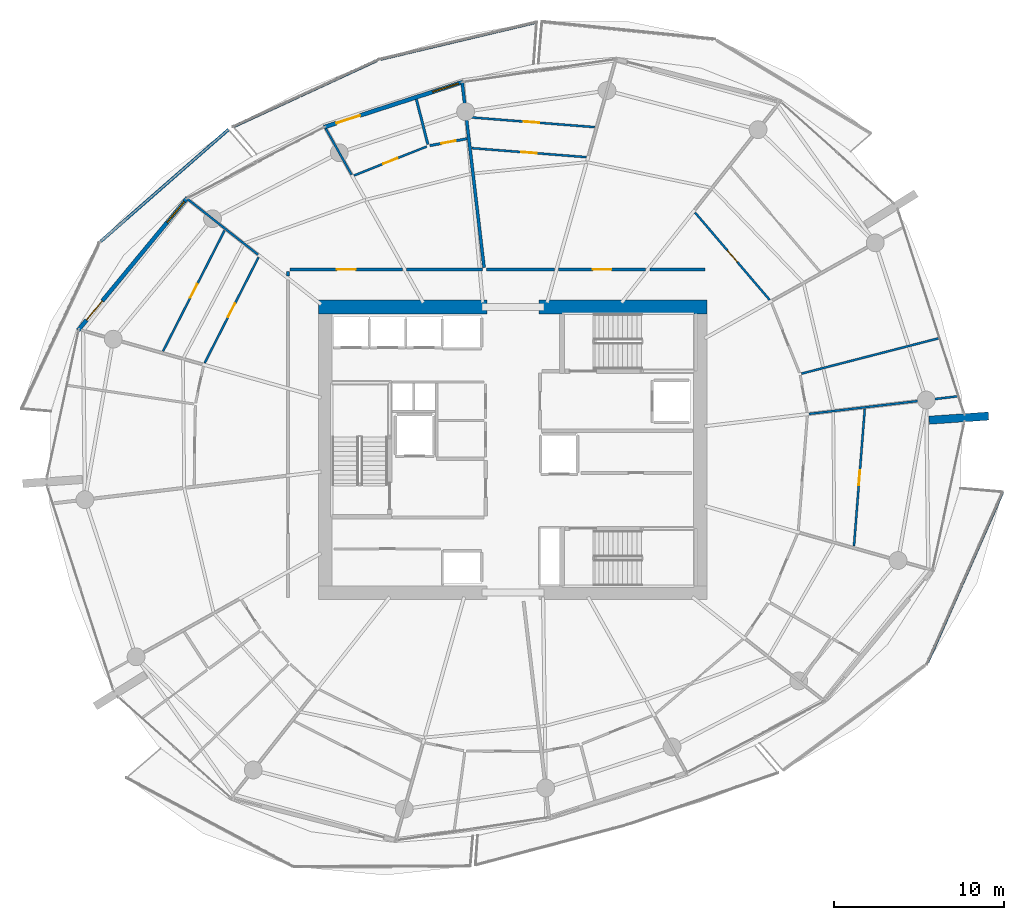
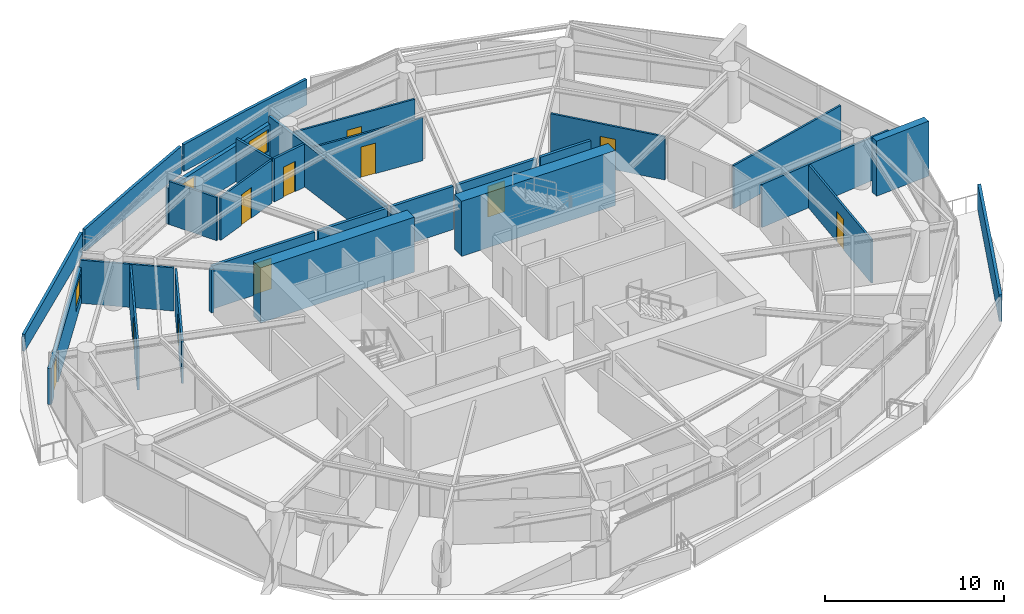
# One storey, part 14 of 20: 29 walls, 12 doors, 2 windows, 14 openings.
"""IFC4 building model written with IfcOpenShell, lengths in metres."""

from ifc_helpers import new_model, si_unit, direction, frame, frame_2d, origin, place, context, subcontext, project, spatial, polyline, rectangle, outline, extrude, material, layer, layer_set, type_object, element, fill, save


model = new_model("IFC4")

# Units and contexts
model_context = context("Model", 3, precision=1e-05, world=origin(), true_north=direction((0.0, 1.0)))
body_context = subcontext(model_context, "Body", "Model", "MODEL_VIEW")
ifc_project = project(units=[si_unit("LENGTHUNIT", "METRE"), si_unit("AREAUNIT", "SQUARE_METRE"), si_unit("VOLUMEUNIT", "CUBIC_METRE"), si_unit("PLANEANGLEUNIT", "RADIAN"), si_unit("MASSUNIT", "GRAM", prefix="KILO")], contexts=[model_context])

# Site, building, storey
site_placement = place(None, origin())
site = spatial("IfcSite", under=ifc_project, at=site_placement, CompositionType="ELEMENT")
building_placement = place(site_placement, origin())
building = spatial("IfcBuilding", under=site, at=building_placement, Name="Kazma Halo Residences", CompositionType="ELEMENT")
storey_placement = place(building_placement, frame((0.0, 0.0, 154.050048828125)))
storey = spatial("IfcBuildingStorey", under=building, at=storey_placement, Name="L38", CompositionType="ELEMENT", Elevation=154.050048828125)

# Walls
ifc_material_1 = material(Name="White Concrete C50/60 Balustrade", Category="concrete")
ifc_layer_1 = layer(ifc_material_1, 0.179931640625)
ifc_layer_set_1 = layer_set([ifc_layer_1], Name="White Concrete C50/60 Balustrade")
wall_type_1 = type_object("IfcWallType", Name="WL-BAL-WAVE-180", PredefinedType="PARAPET", material=ifc_layer_set_1)
wall_1_placement = place(storey_placement, frame((49.824951171875, 67.150634765625, 0.0), z_axis=(0.0, 0.0, 1.0), x_axis=(-0.972947039014, -0.231028265098, 0.0)))
element("IfcWall", 1, at=wall_1_placement, inside=storey, type_object=wall_type_1, Name="L38 white wave balustrade wall NNW.1", PredefinedType="PARAPET", context=body_context, shape_type="SweptSolid", body=[
    extrude(outline(polyline([(0.0, 0.0), (9.4189453125, 0.0), (9.418701171875, 1.83203125), (4.70947265625, 1.85302734375), (0.0, 1.755859375), (0.0, 0.0)])), frame((0.0, 0.08984375, 0.0), z_axis=(0.0, -1.0, 0.0), x_axis=(1.0, 0.0, 0.0)), (0.0, 0.0, 1.0), 0.179931640625),
])
wall_2_placement = place(storey_placement, frame((40.43505859375, 64.896728515625, 0.0), z_axis=(0.0, 0.0, 1.0), x_axis=(-0.908087442579, -0.418780606799, 0.0)))
element("IfcWall", 2, at=wall_2_placement, inside=storey, type_object=wall_type_1, Name="L38 white wave balustrade wall NNW.2", PredefinedType="PARAPET", context=body_context, shape_type="SweptSolid", body=[
    extrude(outline(polyline([(0.0, 0.0), (9.3154296875, 0.0), (9.3154296875, 1.4970703125), (4.65771484375, 1.696044921875), (0.0, 1.83203125), (0.0, 0.0)])), frame((0.0, 0.08984375, 0.0), z_axis=(0.0, -1.0, 0.0), x_axis=(1.0, 0.0, 0.0)), (0.0, 0.0, 1.0), 0.179931640625),
])
wall_3_placement = place(storey_placement, frame((31.71240234375, 60.8359375, 0.0), z_axis=(0.0, 0.0, 1.0), x_axis=(-0.752617556845, -0.658457905358, 0.0)))
element("IfcWall", 3, at=wall_3_placement, inside=storey, type_object=wall_type_1, Name="L38 white wave balustrade wall NW.1", PredefinedType="PARAPET", context=body_context, shape_type="SweptSolid", body=[
    extrude(outline(polyline([(0.0, 0.0), (9.99267578125, 0.0), (9.992919921875, 1.14794921875), (4.99658203125, 1.283935546875), (0.0, 1.48291015625), (0.0, 0.0)])), frame((0.0, 0.08984375, 0.0), z_axis=(0.0, -1.0, 0.0), x_axis=(1.0, 0.0, 0.0)), (0.0, 0.0, 1.0), 0.179931640625),
])
wall_4_placement = place(storey_placement, frame((72.80322265625, 29.49658203125, 0.0), z_axis=(0.0, 0.0, 1.0), x_axis=(0.402973896797, 0.915211472011, 0.0)))
element("IfcWall", 4, at=wall_4_placement, inside=storey, type_object=wall_type_1, Name="L38 white wave balustrade wall SE.2", PredefinedType="PARAPET", context=body_context, shape_type="SweptSolid", body=[
    extrude(outline(polyline([(0.0, 0.0), (10.953125, 0.0), (10.952880859375, 1.755859375), (5.4765625, 1.85302734375), (0.0, 1.83203125), (0.0, 0.0)])), frame((0.0, 0.08984375, 0.0), z_axis=(0.0, -1.0, 0.0), x_axis=(1.0, 0.0, 0.0)), (0.0, 0.0, 1.0), 0.179931640625),
])
ifc_material_2 = material(Name="Pale Concrete C60/75", Category="concrete")
ifc_layer_2 = layer(ifc_material_2, 0.47998046875)
ifc_layer_set_2 = layer_set([ifc_layer_2], Name="Pale Concrete C60/75")
wall_type_2 = type_object("IfcWallType", Name="WL-BLADE-480", PredefinedType="SOLIDWALL", material=ifc_layer_set_2)
wall_5_placement = place(storey_placement, frame((72.89697265625, 43.740966796875, 0.0), z_axis=(0.0, 0.0, 1.0), x_axis=(0.997564163539, 0.069754853754, 0.0)))
element("IfcWall", 5, at=wall_5_placement, inside=storey, type_object=wall_type_2, Name="L38 pale concrete structural blade fin wall BW-04", PredefinedType="SOLIDWALL", context=body_context, shape_type="SweptSolid", body=[
    extrude(rectangle(XDim=3.5, YDim=0.47998046875, at=frame_2d((1.75, 0.0))), origin(), (0.0, 0.0, 1.0), 3.75),
])
ifc_material_3 = material(Name="Concrete C80/95", Category="concrete")
ifc_layer_3 = layer(ifc_material_3, 0.800048828125)
ifc_layer_set_3 = layer_set([ifc_layer_3], Name="Concrete C80/95")
wall_type_3 = type_object("IfcWallType", Name="WL-CORE-800", PredefinedType="SHEAR", material=ifc_layer_set_3)
wall_6_placement = place(storey_placement, frame((37.0, 50.39990234375, 0.0), z_axis=(0.0, 0.0, 1.0), x_axis=(1.0, 0.0, 0.0)))
element("IfcWall", 6, at=wall_6_placement, inside=storey, type_object=wall_type_3, Name="L38 central core shear wall NW", PredefinedType="SHEAR", context=body_context, shape_type="SweptSolid", body=[
    extrude(rectangle(XDim=9.89990234375, YDim=0.800048828125, at=frame_2d((4.949951171875, 0.0))), origin(), (0.0, 0.0, 1.0), 3.75),
])
wall_7_placement = place(storey_placement, frame((49.949951171875, 50.39990234375, 0.0), z_axis=(0.0, 0.0, 1.0), x_axis=(1.0, 0.0, 0.0)))
element("IfcWall", 7, at=wall_7_placement, inside=storey, type_object=wall_type_3, Name="L38 central core shear wall NE", PredefinedType="SHEAR", context=body_context, shape_type="SweptSolid", body=[
    extrude(rectangle(XDim=9.900146484375, YDim=0.800048828125, at=frame_2d((4.9501953125, 0.0))), origin(), (0.0, 0.0, 1.0), 3.75),
])
ifc_material_4 = material(Name="Acoustic Twin-Stud Gypsum")
ifc_layer_4 = layer(ifc_material_4, 0.179931640625)
ifc_layer_set_4 = layer_set([ifc_layer_4], Name="Acoustic Twin-Stud Gypsum")
wall_type_4 = type_object("IfcWallType", Name="WL-DEM-180", PredefinedType="PARTITIONING", material=ifc_layer_set_4)
wall_8_placement = place(storey_placement, frame((46.732421875, 52.709228515625, 0.0), z_axis=(0.0, 0.0, 1.0), x_axis=(-0.117537145285, 0.993068486802, 0.0)))
element("IfcWall", 8, at=wall_8_placement, inside=storey, type_object=wall_type_4, Name="L38 apartment demising radial wall 03", PredefinedType="PARTITIONING", context=body_context, shape_type="SweptSolid", body=[
    extrude(rectangle(XDim=10.95068359375, YDim=0.179931640625, at=frame_2d((5.475341796875, 0.0))), origin(), (0.0, 0.0, 1.0), 2.93994140625),
])

# Wall, opening, door
wall_9_placement = place(storey_placement, frame((41.943603515625, 52.60009765625, 0.0), z_axis=(0.0, 0.0, 1.0), x_axis=(-1.0, 0.0, 0.0)))
wall_9 = element("IfcWall", 9, at=wall_9_placement, inside=storey, type_object=wall_type_4, Name="L38 Apartment 1 entrance corridor wall", PredefinedType="PARTITIONING", context=body_context, shape_type="SweptSolid", body=[
    extrude(rectangle(XDim=6.62353515625, YDim=0.179931640625, at=frame_2d((3.311767578125, 0.0))), origin(), (0.0, 0.0, 1.0), 2.93994140625),
])
opening_1_placement = place(wall_9_placement, frame((2.76171875, 0.0, 0.0)))
opening_1 = element("IfcOpeningElement", 10, at=opening_1_placement, cuts=wall_9, Name="Opening DA-1100", PredefinedType="OPENING", context=body_context, shape_type="SweptSolid", body=[
    extrude(rectangle(XDim=1.10009765625, YDim=2.10009765625, at=frame_2d((0.550048828125, 1.050048828125))), frame((0.0, 0.099853515625, 0.0), z_axis=(0.0, -1.0, 0.0), x_axis=(1.0, 0.0, 0.0)), (0.0, 0.0, 1.0), 0.199951171875),
])
ifc_material_5 = material(Name="Acoustic Walnut Fire Leaf")
door_type_1 = type_object("IfcDoorType", Name="DR-FD60-1100", OperationType="NOTDEFINED", PredefinedType="DOOR", material=ifc_material_5)
door_1_placement = place(opening_1_placement, origin())
door_1 = element("IfcDoor", 11, at=door_1_placement, inside=storey, type_object=door_type_1, Name="L38 Apartment 1 entrance fire door", OperationType="SINGLE_SWING_RIGHT", OverallHeight=2.10009765625, OverallWidth=1.10009765625, PredefinedType="DOOR", context=body_context, shape_type="SweptSolid", body=[
    extrude(rectangle(XDim=1.10009765625, YDim=2.10009765625, at=frame_2d((0.550048828125, 1.050048828125))), frame((0.0, 0.02490234375, 0.0), z_axis=(0.0, -1.0, 0.0), x_axis=(1.0, 0.0, 0.0)), (0.0, 0.0, 1.0), 0.050048828125),
])
fill(opening_1, door_1)

# Walls
wall_10_placement = place(storey_placement, frame((35.199951171875, 52.47998046875, 0.0), z_axis=(0.0, 0.0, 1.0), x_axis=(0.0, -1.0, 0.0)))
element("IfcWall", 12, at=wall_10_placement, inside=storey, type_object=wall_type_4, Name="L38 Apartment 1 entrance corridor wall", PredefinedType="PARTITIONING", context=body_context, shape_type="SweptSolid", body=[
    extrude(rectangle(XDim=0.269287109375, YDim=0.179931640625, at=frame_2d((0.134765625, 0.0))), origin(), (0.0, 0.0, 1.0), 2.93994140625),
])
wall_11_placement = place(storey_placement, frame((46.62548828125, 52.60009765625, 0.0), z_axis=(0.0, 0.0, 1.0), x_axis=(-1.0, 0.0, 0.0)))
element("IfcWall", 13, at=wall_11_placement, inside=storey, type_object=wall_type_4, Name="L38 Apartment 1 inner wall 3", PredefinedType="PARTITIONING", context=body_context, shape_type="SweptSolid", body=[
    extrude(rectangle(XDim=4.44189453125, YDim=0.179931640625, at=frame_2d((2.220947265625, 0.0))), origin(), (0.0, 0.0, 1.0), 2.93994140625),
])

# Wall, opening, door
wall_12_placement = place(storey_placement, frame((56.236328125, 52.60009765625, 0.0), z_axis=(0.0, 0.0, 1.0), x_axis=(-1.0, 0.0, 0.0)))
wall_12 = element("IfcWall", 14, at=wall_12_placement, inside=storey, type_object=wall_type_4, Name="L38 Apartment 3 entrance corridor wall", PredefinedType="PARTITIONING", context=body_context, shape_type="SweptSolid", body=[
    extrude(rectangle(XDim=5.126708984375, YDim=0.179931640625, at=frame_2d((2.5634765625, 0.0))), origin(), (0.0, 0.0, 1.0), 2.93994140625),
])
opening_2_placement = place(wall_12_placement, frame((2.013427734375, 0.0, 0.0)))
opening_2 = element("IfcOpeningElement", 15, at=opening_2_placement, cuts=wall_12, Name="Opening DA-1100", PredefinedType="OPENING", context=body_context, shape_type="SweptSolid", body=[
    extrude(rectangle(XDim=1.10009765625, YDim=2.10009765625, at=frame_2d((0.550048828125, 1.050048828125))), frame((0.0, 0.099853515625, 0.0), z_axis=(0.0, -1.0, 0.0), x_axis=(1.0, 0.0, 0.0)), (0.0, 0.0, 1.0), 0.199951171875),
])
door_2_placement = place(opening_2_placement, origin())
door_2 = element("IfcDoor", 16, at=door_2_placement, inside=storey, type_object=door_type_1, Name="L38 Apartment 3 entrance fire door", OperationType="SINGLE_SWING_RIGHT", OverallHeight=2.10009765625, OverallWidth=1.10009765625, PredefinedType="DOOR", context=body_context, shape_type="SweptSolid", body=[
    extrude(rectangle(XDim=1.10009765625, YDim=2.10009765625, at=frame_2d((0.550048828125, 1.050048828125))), frame((0.0, 0.02490234375, 0.0), z_axis=(0.0, -1.0, 0.0), x_axis=(1.0, 0.0, 0.0)), (0.0, 0.0, 1.0), 0.050048828125),
])
fill(opening_2, door_2)

# Walls
wall_13_placement = place(storey_placement, frame((59.72998046875, 52.60009765625, 0.0), z_axis=(0.0, 0.0, 1.0), x_axis=(-1.0, 0.0, 0.0)))
element("IfcWall", 17, at=wall_13_placement, inside=storey, type_object=wall_type_4, Name="L38 Apartment 3 inner wall 0", PredefinedType="PARTITIONING", context=body_context, shape_type="SweptSolid", body=[
    extrude(rectangle(XDim=3.253662109375, YDim=0.179931640625, at=frame_2d((1.626953125, 0.0))), origin(), (0.0, 0.0, 1.0), 2.93994140625),
])
wall_14_placement = place(storey_placement, frame((50.869384765625, 52.60009765625, 0.0), z_axis=(0.0, 0.0, 1.0), x_axis=(-1.0, 0.0, 0.0)))
element("IfcWall", 18, at=wall_14_placement, inside=storey, type_object=wall_type_4, Name="L38 Apartment 3 inner wall 2", PredefinedType="PARTITIONING", context=body_context, shape_type="SweptSolid", body=[
    extrude(rectangle(XDim=4.00390625, YDim=0.179931640625, at=frame_2d((2.001953125, 0.0))), origin(), (0.0, 0.0, 1.0), 2.93994140625),
])

# Wall, openings, door, window
ifc_material_6 = material(Name="Insulated Pale-Metal Composite Wall")
ifc_layer_5 = layer(ifc_material_6, 0.239990234375)
ifc_layer_set_5 = layer_set([ifc_layer_5], Name="Insulated Pale-Metal Composite Wall")
wall_type_5 = type_object("IfcWallType", Name="WL-EXT-HOST-240", PredefinedType="SOLIDWALL", material=ifc_layer_set_5)
wall_15_placement = place(storey_placement, frame((45.489990234375, 63.624267578125, 0.0), z_axis=(0.0, 0.0, 1.0), x_axis=(-0.951046390632, -0.309048156224, 0.0)))
wall_15 = element("IfcWall", 19, at=wall_15_placement, inside=storey, type_object=wall_type_5, Name="L38 exterior terrace-access wall B04", PredefinedType="SOLIDWALL", context=body_context, shape_type="SweptSolid", body=[
    extrude(rectangle(XDim=8.590087890625, YDim=0.239990234375, at=frame_2d((4.294921875, 0.0))), origin(), (0.0, 0.0, 1.0), 2.449951171875),
])
opening_3_placement = place(wall_15_placement, frame((6.370361328125, 0.0, 0.0)))
opening_3 = element("IfcOpeningElement", 20, at=opening_3_placement, cuts=wall_15, Name="Opening DTR-1600", PredefinedType="OPENING", context=body_context, shape_type="SweptSolid", body=[
    extrude(rectangle(XDim=1.449951171875, YDim=2.14990234375, at=frame_2d((0.72509765625, 1.074951171875))), frame((0.0, 0.1298828125, 0.0), z_axis=(0.0, -1.0, 0.0), x_axis=(1.0, 0.0, 0.0)), (0.0, 0.0, 1.0), 0.260009765625),
])
opening_4_placement = place(wall_15_placement, frame((0.280029296875, 0.0, 0.64990234375)))
opening_4 = element("IfcOpeningElement", 21, at=opening_4_placement, cuts=wall_15, Name="Opening W-1800", PredefinedType="OPENING", context=body_context, shape_type="SweptSolid", body=[
    extrude(rectangle(XDim=1.60009765625, YDim=1.5, at=frame_2d((0.800048828125, 0.75))), frame((0.0, 0.1298828125, 0.0), z_axis=(0.0, -1.0, 0.0), x_axis=(1.0, 0.0, 0.0)), (0.0, 0.0, 1.0), 0.260009765625),
])
ifc_material_7 = material(Name="Aluminium AW-6063 T6 Double-Glazed Terrace Door", Category="aluminium")
door_type_2 = type_object("IfcDoorType", Name="DR-EXT-TERR-1600", OperationType="NOTDEFINED", PredefinedType="DOOR", material=ifc_material_7)
door_3_placement = place(opening_3_placement, origin())
door_3 = element("IfcDoor", 22, at=door_3_placement, inside=storey, type_object=door_type_2, Name="L38 B04 balcony terrace door", OperationType="DOUBLE_DOOR_SLIDING", OverallHeight=2.14990234375, OverallWidth=1.449951171875, PredefinedType="DOOR", context=body_context, shape_type="SweptSolid", body=[
    extrude(rectangle(XDim=1.449951171875, YDim=2.14990234375, at=frame_2d((0.72509765625, 1.074951171875))), frame((0.0, 0.02490234375, 0.0), z_axis=(0.0, -1.0, 0.0), x_axis=(1.0, 0.0, 0.0)), (0.0, 0.0, 1.0), 0.050048828125),
])
fill(opening_3, door_3)
ifc_material_8 = material(Name="Clear Triple-Silver Low-E Glass in Aluminium AW-6063 T6 Frame", Category="aluminium")
window_type = type_object("IfcWindowType", Name="WIN-RES-1800", PartitioningType="DOUBLE_PANEL_VERTICAL", PredefinedType="WINDOW", material=ifc_material_8)
window_1_placement = place(opening_4_placement, origin())
window_1 = element("IfcWindow", 23, at=window_1_placement, inside=storey, type_object=window_type, Name="L38 B04 apartment window", OverallHeight=1.5, OverallWidth=1.60009765625, PartitioningType="SINGLE_PANEL", PredefinedType="WINDOW", context=body_context, shape_type="SweptSolid", body=[
    extrude(rectangle(XDim=1.60009765625, YDim=1.5, at=frame_2d((0.800048828125, 0.75))), frame((0.0, 0.030029296875, 0.0), z_axis=(0.0, -1.0, 0.0), x_axis=(1.0, 0.0, 0.0)), (0.0, 0.0, 1.0), 0.06005859375),
])
fill(opening_4, window_1)

wall_16_placement = place(storey_placement, frame((29.29052734375, 56.81298828125, 0.0), z_axis=(0.0, 0.0, 1.0), x_axis=(-0.636771922292, -0.77105221547, 0.0)))
wall_16 = element("IfcWall", 24, at=wall_16_placement, inside=storey, type_object=wall_type_5, Name="L38 exterior terrace-access wall B06", PredefinedType="SOLIDWALL", context=body_context, shape_type="SweptSolid", body=[
    extrude(rectangle(XDim=10.08154296875, YDim=0.239990234375, at=frame_2d((5.040771484375, 0.0))), origin(), (0.0, 0.0, 1.0), 2.449951171875),
])
opening_5_placement = place(wall_16_placement, frame((7.861572265625, 0.0, 0.0)))
opening_5 = element("IfcOpeningElement", 25, at=opening_5_placement, cuts=wall_16, Name="Opening DTR-1600", PredefinedType="OPENING", context=body_context, shape_type="SweptSolid", body=[
    extrude(rectangle(XDim=1.449951171875, YDim=2.14990234375, at=frame_2d((0.72509765625, 1.074951171875))), frame((0.0, 0.1298828125, 0.0), z_axis=(0.0, -1.0, 0.0), x_axis=(1.0, 0.0, 0.0)), (0.0, 0.0, 1.0), 0.260009765625),
])
opening_6_placement = place(wall_16_placement, frame((0.280029296875, 0.0, 0.64990234375)))
opening_6 = element("IfcOpeningElement", 26, at=opening_6_placement, cuts=wall_16, Name="Opening W-1800", PredefinedType="OPENING", context=body_context, shape_type="SweptSolid", body=[
    extrude(rectangle(XDim=1.60009765625, YDim=1.5, at=frame_2d((0.800048828125, 0.75))), frame((0.0, 0.1298828125, 0.0), z_axis=(0.0, -1.0, 0.0), x_axis=(1.0, 0.0, 0.0)), (0.0, 0.0, 1.0), 0.260009765625),
])
door_4_placement = place(opening_5_placement, origin())
door_4 = element("IfcDoor", 27, at=door_4_placement, inside=storey, type_object=door_type_2, Name="L38 B06 balcony terrace door", OperationType="DOUBLE_DOOR_SLIDING", OverallHeight=2.14990234375, OverallWidth=1.449951171875, PredefinedType="DOOR", context=body_context, shape_type="SweptSolid", body=[
    extrude(rectangle(XDim=1.449951171875, YDim=2.14990234375, at=frame_2d((0.72509765625, 1.074951171875))), frame((0.0, 0.02490234375, 0.0), z_axis=(0.0, -1.0, 0.0), x_axis=(1.0, 0.0, 0.0)), (0.0, 0.0, 1.0), 0.050048828125),
])
fill(opening_5, door_4)
window_2_placement = place(opening_6_placement, origin())
window_2 = element("IfcWindow", 28, at=window_2_placement, inside=storey, type_object=window_type, Name="L38 B06 apartment window", OverallHeight=1.5, OverallWidth=1.60009765625, PartitioningType="SINGLE_PANEL", PredefinedType="WINDOW", context=body_context, shape_type="SweptSolid", body=[
    extrude(rectangle(XDim=1.60009765625, YDim=1.5, at=frame_2d((0.800048828125, 0.75))), frame((0.0, 0.030029296875, 0.0), z_axis=(0.0, -1.0, 0.0), x_axis=(1.0, 0.0, 0.0)), (0.0, 0.0, 1.0), 0.06005859375),
])
fill(opening_6, window_2)

# Wall
ifc_material_9 = material(Name="Gypsum Plasterboard Partition")
ifc_layer_6 = layer(ifc_material_9, 0.125)
ifc_layer_set_6 = layer_set([ifc_layer_6], Name="Gypsum Plasterboard Partition")
wall_type_6 = type_object("IfcWallType", Name="WL-PART-125", PredefinedType="PARTITIONING", material=ifc_layer_set_6)
wall_17_placement = place(storey_placement, frame((38.94140625, 58.17529296875, 0.0), z_axis=(0.0, 0.0, 1.0), x_axis=(-0.488620181058, 0.872496600946, 0.0)))
element("IfcWall", 29, at=wall_17_placement, inside=storey, type_object=wall_type_6, Name="L38 Apartment 1 living radial partition 3", PredefinedType="PARTITIONING", context=body_context, shape_type="SweptSolid", body=[
    extrude(rectangle(XDim=3.095458984375, YDim=0.125, at=frame_2d((1.5478515625, 0.0))), origin(), (0.0, 0.0, 1.0), 2.93994140625),
])

# Wall, opening, door
wall_18_placement = place(storey_placement, frame((43.365966796875, 59.835205078125, 0.0), z_axis=(0.0, 0.0, 1.0), x_axis=(-0.928691950022, -0.370852075584, 0.0)))
wall_18 = element("IfcWall", 30, at=wall_18_placement, inside=storey, type_object=wall_type_6, Name="L38 Apartment 1 Gourmet Kitchen hall wall", PredefinedType="PARTITIONING", context=body_context, shape_type="SweptSolid", body=[
    extrude(rectangle(XDim=4.611572265625, YDim=0.125, at=frame_2d((2.3056640625, 0.0))), origin(), (0.0, 0.0, 1.0), 2.93994140625),
])
opening_7_placement = place(wall_18_placement, frame((1.855712890625, 0.0, 0.0)))
opening_7 = element("IfcOpeningElement", 31, at=opening_7_placement, cuts=wall_18, Name="Opening DI-950", PredefinedType="OPENING", context=body_context, shape_type="SweptSolid", body=[
    extrude(rectangle(XDim=0.89990234375, YDim=2.080078125, at=frame_2d((0.449951171875, 1.0400390625))), frame((0.0, 0.072509765625, 0.0), z_axis=(0.0, -1.0, 0.0), x_axis=(1.0, 0.0, 0.0)), (0.0, 0.0, 1.0), 0.14501953125),
])
ifc_material_10 = material(Name="Timber Veneer Flush Leaf", Category="wood")
door_type_3 = type_object("IfcDoorType", Name="DR-INT-950", OperationType="NOTDEFINED", PredefinedType="DOOR", material=ifc_material_10)
door_5_placement = place(opening_7_placement, origin())
door_5 = element("IfcDoor", 32, at=door_5_placement, inside=storey, type_object=door_type_3, Name="L38 Apartment 1 Gourmet Kitchen door", OperationType="SINGLE_SWING_RIGHT", OverallHeight=2.080078125, OverallWidth=0.89990234375, PredefinedType="DOOR", context=body_context, shape_type="SweptSolid", body=[
    extrude(rectangle(XDim=0.89990234375, YDim=2.080078125, at=frame_2d((0.449951171875, 1.0400390625))), frame((0.0, 0.02490234375, 0.0), z_axis=(0.0, -1.0, 0.0), x_axis=(1.0, 0.0, 0.0)), (0.0, 0.0, 1.0), 0.050048828125),
])
fill(opening_7, door_5)

# Wall
wall_19_placement = place(storey_placement, frame((33.44091796875, 53.477294921875, 0.0), z_axis=(0.0, 0.0, 1.0), x_axis=(-0.785319981095, 0.619090080112, 0.0)))
element("IfcWall", 33, at=wall_19_placement, inside=storey, type_object=wall_type_6, Name="L38 Apartment 1 radial partition 5", PredefinedType="PARTITIONING", context=body_context, shape_type="SweptSolid", body=[
    extrude(rectangle(XDim=5.300537109375, YDim=0.125, at=frame_2d((2.650390625, 0.0))), origin(), (0.0, 0.0, 1.0), 2.93994140625),
])

# Wall, opening, door
wall_20_placement = place(storey_placement, frame((33.469482421875, 53.3173828125, 0.0), z_axis=(0.0, 0.0, 1.0), x_axis=(-0.453977694262, -0.891013048789, 0.0)))
wall_20 = element("IfcWall", 34, at=wall_20_placement, inside=storey, type_object=wall_type_6, Name="L38 Apartment 1 East Study hall wall", PredefinedType="PARTITIONING", context=body_context, shape_type="SweptSolid", body=[
    extrude(rectangle(XDim=6.974365234375, YDim=0.125, at=frame_2d((3.4873046875, 0.0))), origin(), (0.0, 0.0, 1.0), 2.93994140625),
])
opening_8_placement = place(wall_20_placement, frame((3.037353515625, 0.0, 0.0)))
opening_8 = element("IfcOpeningElement", 35, at=opening_8_placement, cuts=wall_20, Name="Opening DI-950", PredefinedType="OPENING", context=body_context, shape_type="SweptSolid", body=[
    extrude(rectangle(XDim=0.89990234375, YDim=2.080078125, at=frame_2d((0.449951171875, 1.0400390625))), frame((0.0, 0.072509765625, 0.0), z_axis=(0.0, -1.0, 0.0), x_axis=(1.0, 0.0, 0.0)), (0.0, 0.0, 1.0), 0.14501953125),
])
door_6_placement = place(opening_8_placement, origin())
door_6 = element("IfcDoor", 36, at=door_6_placement, inside=storey, type_object=door_type_3, Name="L38 Apartment 1 East Study door", OperationType="SINGLE_SWING_RIGHT", OverallHeight=2.080078125, OverallWidth=0.89990234375, PredefinedType="DOOR", context=body_context, shape_type="SweptSolid", body=[
    extrude(rectangle(XDim=0.89990234375, YDim=2.080078125, at=frame_2d((0.449951171875, 1.0400390625))), frame((0.0, 0.02490234375, 0.0), z_axis=(0.0, -1.0, 0.0), x_axis=(1.0, 0.0, 0.0)), (0.0, 0.0, 1.0), 0.050048828125),
])
fill(opening_8, door_6)

wall_21_placement = place(storey_placement, frame((31.4716796875, 54.892333984375, 0.0), z_axis=(0.0, 0.0, 1.0), x_axis=(-0.453991424948, -0.89100605277, 0.0)))
wall_21 = element("IfcWall", 37, at=wall_21_placement, inside=storey, type_object=wall_type_6, Name="L38 Apartment 1 West Master Bedroom divider wall", PredefinedType="PARTITIONING", context=body_context, shape_type="SweptSolid", body=[
    extrude(rectangle(XDim=7.967041015625, YDim=0.125, at=frame_2d((3.9833984375, 0.0))), origin(), (0.0, 0.0, 1.0), 2.93994140625),
])
opening_9_placement = place(wall_21_placement, frame((3.53369140625, 0.0, 0.0)))
opening_9 = element("IfcOpeningElement", 38, at=opening_9_placement, cuts=wall_21, Name="Opening DI-950", PredefinedType="OPENING", context=body_context, shape_type="SweptSolid", body=[
    extrude(rectangle(XDim=0.89990234375, YDim=2.080078125, at=frame_2d((0.449951171875, 1.0400390625))), frame((0.0, 0.072509765625, 0.0), z_axis=(0.0, -1.0, 0.0), x_axis=(1.0, 0.0, 0.0)), (0.0, 0.0, 1.0), 0.14501953125),
])
door_7_placement = place(opening_9_placement, origin())
door_7 = element("IfcDoor", 39, at=door_7_placement, inside=storey, type_object=door_type_3, Name="L38 Apartment 1 West Master Bedroom door", OperationType="SINGLE_SWING_LEFT", OverallHeight=2.080078125, OverallWidth=0.89990234375, PredefinedType="DOOR", context=body_context, shape_type="SweptSolid", body=[
    extrude(rectangle(XDim=0.89990234375, YDim=2.080078125, at=frame_2d((0.449951171875, 1.0400390625))), frame((0.0, 0.02490234375, 0.0), z_axis=(0.0, -1.0, 0.0), x_axis=(1.0, 0.0, 0.0)), (0.0, 0.0, 1.0), 0.050048828125),
])
fill(opening_9, door_7)

wall_22_placement = place(storey_placement, frame((68.47900390625, 36.33642578125, 0.0), z_axis=(0.0, 0.0, 1.0), x_axis=(0.078482765766, 0.996915470578, 0.0)))
wall_22 = element("IfcWall", 40, at=wall_22_placement, inside=storey, type_object=wall_type_6, Name="L38 Apartment 3 Outer Master Bedroom divider wall", PredefinedType="PARTITIONING", context=body_context, shape_type="SweptSolid", body=[
    extrude(rectangle(XDim=8.07861328125, YDim=0.125, at=frame_2d((4.039306640625, 0.0))), origin(), (0.0, 0.0, 1.0), 2.93994140625),
])
opening_10_placement = place(wall_22_placement, frame((3.58935546875, 0.0, 0.0)))
opening_10 = element("IfcOpeningElement", 41, at=opening_10_placement, cuts=wall_22, Name="Opening DI-950", PredefinedType="OPENING", context=body_context, shape_type="SweptSolid", body=[
    extrude(rectangle(XDim=0.89990234375, YDim=2.080078125, at=frame_2d((0.449951171875, 1.0400390625))), frame((0.0, 0.072509765625, 0.0), z_axis=(0.0, -1.0, 0.0), x_axis=(1.0, 0.0, 0.0)), (0.0, 0.0, 1.0), 0.14501953125),
])
door_8_placement = place(opening_10_placement, origin())
door_8 = element("IfcDoor", 42, at=door_8_placement, inside=storey, type_object=door_type_3, Name="L38 Apartment 3 Outer Master Bedroom door", OperationType="SINGLE_SWING_RIGHT", OverallHeight=2.080078125, OverallWidth=0.89990234375, PredefinedType="DOOR", context=body_context, shape_type="SweptSolid", body=[
    extrude(rectangle(XDim=0.89990234375, YDim=2.080078125, at=frame_2d((0.449951171875, 1.0400390625))), frame((0.0, 0.02490234375, 0.0), z_axis=(0.0, -1.0, 0.0), x_axis=(1.0, 0.0, 0.0)), (0.0, 0.0, 1.0), 0.050048828125),
])
fill(opening_10, door_8)

# Walls
wall_23_placement = place(storey_placement, frame((65.845458984375, 44.1123046875, 0.0), z_axis=(0.0, 0.0, 1.0), x_axis=(0.993069843717, 0.117525680174, 0.0)))
element("IfcWall", 43, at=wall_23_placement, inside=storey, type_object=wall_type_6, Name="L38 Apartment 3 radial partition 15", PredefinedType="PARTITIONING", context=body_context, shape_type="SweptSolid", body=[
    extrude(rectangle(XDim=8.816162109375, YDim=0.125, at=frame_2d((4.408203125, 0.0))), origin(), (0.0, 0.0, 1.0), 2.93994140625),
])
wall_24_placement = place(storey_placement, frame((65.392333984375, 46.480224609375, 0.0), z_axis=(0.0, 0.0, 1.0), x_axis=(0.968391846752, 0.249433821172, 0.0)))
element("IfcWall", 44, at=wall_24_placement, inside=storey, type_object=wall_type_6, Name="L38 Apartment 3 mid-bay wall 15", PredefinedType="PARTITIONING", context=body_context, shape_type="SweptSolid", body=[
    extrude(rectangle(XDim=8.36181640625, YDim=0.125, at=frame_2d((4.180908203125, 0.0))), origin(), (0.0, 0.0, 1.0), 2.93994140625),
])

# Wall, opening, door
wall_25_placement = place(storey_placement, frame((63.52001953125, 50.815185546875, 0.0), z_axis=(0.0, 0.0, 1.0), x_axis=(-0.649447526186, 0.760406411553, 0.0)))
wall_25 = element("IfcWall", 45, at=wall_25_placement, inside=storey, type_object=wall_type_6, Name="L38 Apartment 3 Sky Study hall wall", PredefinedType="PARTITIONING", context=body_context, shape_type="SweptSolid", body=[
    extrude(rectangle(XDim=6.752685546875, YDim=0.125, at=frame_2d((3.37646484375, 0.0))), origin(), (0.0, 0.0, 1.0), 2.93994140625),
])
opening_11_placement = place(wall_25_placement, frame((2.92626953125, 0.0, 0.0)))
opening_11 = element("IfcOpeningElement", 46, at=opening_11_placement, cuts=wall_25, Name="Opening DI-950", PredefinedType="OPENING", context=body_context, shape_type="SweptSolid", body=[
    extrude(rectangle(XDim=0.89990234375, YDim=2.080078125, at=frame_2d((0.449951171875, 1.0400390625))), frame((0.0, 0.072509765625, 0.0), z_axis=(0.0, -1.0, 0.0), x_axis=(1.0, 0.0, 0.0)), (0.0, 0.0, 1.0), 0.14501953125),
])
door_9_placement = place(opening_11_placement, origin())
door_9 = element("IfcDoor", 47, at=door_9_placement, inside=storey, type_object=door_type_3, Name="L38 Apartment 3 Sky Study door", OperationType="SINGLE_SWING_LEFT", OverallHeight=2.080078125, OverallWidth=0.89990234375, PredefinedType="DOOR", context=body_context, shape_type="SweptSolid", body=[
    extrude(rectangle(XDim=0.89990234375, YDim=2.080078125, at=frame_2d((0.449951171875, 1.0400390625))), frame((0.0, 0.02490234375, 0.0), z_axis=(0.0, -1.0, 0.0), x_axis=(1.0, 0.0, 0.0)), (0.0, 0.0, 1.0), 0.050048828125),
])
fill(opening_11, door_9)

wall_26_placement = place(storey_placement, frame((52.740966796875, 59.207763671875, 0.0), z_axis=(0.0, 0.0, 1.0), x_axis=(-0.996917452966, 0.078457580711, 0.0)))
wall_26 = element("IfcWall", 48, at=wall_26_placement, inside=storey, type_object=wall_type_6, Name="L38 Apartment 3 Primary Study hall wall", PredefinedType="PARTITIONING", context=body_context, shape_type="SweptSolid", body=[
    extrude(rectangle(XDim=6.75244140625, YDim=0.125, at=frame_2d((3.376220703125, 0.0))), origin(), (0.0, 0.0, 1.0), 2.93994140625),
])
opening_12_placement = place(wall_26_placement, frame((2.92626953125, 0.0, 0.0)))
opening_12 = element("IfcOpeningElement", 49, at=opening_12_placement, cuts=wall_26, Name="Opening DI-950", PredefinedType="OPENING", context=body_context, shape_type="SweptSolid", body=[
    extrude(rectangle(XDim=0.89990234375, YDim=2.080078125, at=frame_2d((0.449951171875, 1.0400390625))), frame((0.0, 0.072509765625, 0.0), z_axis=(0.0, -1.0, 0.0), x_axis=(1.0, 0.0, 0.0)), (0.0, 0.0, 1.0), 0.14501953125),
])
door_10_placement = place(opening_12_placement, origin())
door_10 = element("IfcDoor", 50, at=door_10_placement, inside=storey, type_object=door_type_3, Name="L38 Apartment 3 Primary Study door", OperationType="SINGLE_SWING_LEFT", OverallHeight=2.080078125, OverallWidth=0.89990234375, PredefinedType="DOOR", context=body_context, shape_type="SweptSolid", body=[
    extrude(rectangle(XDim=0.89990234375, YDim=2.080078125, at=frame_2d((0.449951171875, 1.0400390625))), frame((0.0, 0.02490234375, 0.0), z_axis=(0.0, -1.0, 0.0), x_axis=(1.0, 0.0, 0.0)), (0.0, 0.0, 1.0), 0.050048828125),
])
fill(opening_12, door_10)

wall_27_placement = place(storey_placement, frame((53.238525390625, 60.971923828125, 0.0), z_axis=(0.0, 0.0, 1.0), x_axis=(-0.996916953075, 0.078463932292, 0.0)))
wall_27 = element("IfcWall", 51, at=wall_27_placement, inside=storey, type_object=wall_type_6, Name="L38 Apartment 3 Secondary Bedroom divider wall", PredefinedType="PARTITIONING", context=body_context, shape_type="SweptSolid", body=[
    extrude(rectangle(XDim=7.467529296875, YDim=0.125, at=frame_2d((3.73388671875, 0.0))), origin(), (0.0, 0.0, 1.0), 2.93994140625),
])
opening_13_placement = place(wall_27_placement, frame((3.28369140625, 0.0, 0.0)))
opening_13 = element("IfcOpeningElement", 52, at=opening_13_placement, cuts=wall_27, Name="Opening DI-950", PredefinedType="OPENING", context=body_context, shape_type="SweptSolid", body=[
    extrude(rectangle(XDim=0.89990234375, YDim=2.080078125, at=frame_2d((0.449951171875, 1.0400390625))), frame((0.0, 0.072509765625, 0.0), z_axis=(0.0, -1.0, 0.0), x_axis=(1.0, 0.0, 0.0)), (0.0, 0.0, 1.0), 0.14501953125),
])
door_11_placement = place(opening_13_placement, origin())
door_11 = element("IfcDoor", 53, at=door_11_placement, inside=storey, type_object=door_type_3, Name="L38 Apartment 3 Secondary Bedroom door", OperationType="SINGLE_SWING_RIGHT", OverallHeight=2.080078125, OverallWidth=0.89990234375, PredefinedType="DOOR", context=body_context, shape_type="SweptSolid", body=[
    extrude(rectangle(XDim=0.89990234375, YDim=2.080078125, at=frame_2d((0.449951171875, 1.0400390625))), frame((0.0, 0.02490234375, 0.0), z_axis=(0.0, -1.0, 0.0), x_axis=(1.0, 0.0, 0.0)), (0.0, 0.0, 1.0), 0.050048828125),
])
fill(opening_13, door_11)

ifc_material_11 = material(Name="Moisture-Resistant Gypsum")
ifc_layer_7 = layer(ifc_material_11, 0.14990234375)
ifc_layer_set_7 = layer_set([ifc_layer_7], Name="Moisture-Resistant Gypsum")
wall_type_7 = type_object("IfcWallType", Name="WL-WET-150", PredefinedType="PARTITIONING", material=ifc_layer_set_7)
wall_28_placement = place(storey_placement, frame((45.734375, 60.29296875, 0.0), z_axis=(0.0, 0.0, 1.0), x_axis=(-0.983182569162, -0.182625397184, 0.0)))
wall_28 = element("IfcWall", 54, at=wall_28_placement, inside=storey, type_object=wall_type_7, Name="L38 Apartment 1 Guest Bathroom hall wall", PredefinedType="PARTITIONING", context=body_context, shape_type="SweptSolid", body=[
    extrude(rectangle(XDim=2.23388671875, YDim=0.14990234375, at=frame_2d((1.116943359375, 0.0))), origin(), (0.0, 0.0, 1.0), 2.93994140625),
])
opening_14_placement = place(wall_28_placement, frame((0.69189453125, 0.0, 0.0)))
opening_14 = element("IfcOpeningElement", 55, at=opening_14_placement, cuts=wall_28, Name="Opening DB-900", PredefinedType="OPENING", context=body_context, shape_type="SweptSolid", body=[
    extrude(rectangle(XDim=0.85009765625, YDim=2.06005859375, at=frame_2d((0.425048828125, 1.030029296875))), frame((0.0, 0.0849609375, 0.0), z_axis=(0.0, -1.0, 0.0), x_axis=(1.0, 0.0, 0.0)), (0.0, 0.0, 1.0), 0.169921875),
])
ifc_material_12 = material(Name="Moisture-Sealed Timber Leaf", Category="wood")
door_type_4 = type_object("IfcDoorType", Name="DR-BTH-900", OperationType="NOTDEFINED", PredefinedType="DOOR", material=ifc_material_12)
door_12_placement = place(opening_14_placement, origin())
door_12 = element("IfcDoor", 56, at=door_12_placement, inside=storey, type_object=door_type_4, Name="L38 Apartment 1 Guest Bathroom door", OperationType="SINGLE_SWING_RIGHT", OverallHeight=2.06005859375, OverallWidth=0.85009765625, PredefinedType="DOOR", context=body_context, shape_type="SweptSolid", body=[
    extrude(rectangle(XDim=0.85009765625, YDim=2.06005859375, at=frame_2d((0.425048828125, 1.030029296875))), frame((0.0, 0.02490234375, 0.0), z_axis=(0.0, -1.0, 0.0), x_axis=(1.0, 0.0, 0.0)), (0.0, 0.0, 1.0), 0.050048828125),
])
fill(opening_14, door_12)

# Wall
wall_29_placement = place(storey_placement, frame((43.42724609375, 59.955810546875, 0.0), z_axis=(0.0, 0.0, 1.0), x_axis=(-0.246779972966, 0.969071537578, 0.0)))
element("IfcWall", 57, at=wall_29_placement, inside=storey, type_object=wall_type_7, Name="L38 Apartment 1 Guest Bathroom side wall", PredefinedType="PARTITIONING", context=body_context, shape_type="SweptSolid", body=[
    extrude(rectangle(XDim=2.732421875, YDim=0.14990234375, at=frame_2d((1.3662109375, 0.0))), origin(), (0.0, 0.0, 1.0), 2.93994140625),
])

save(model, "model.ifc")
